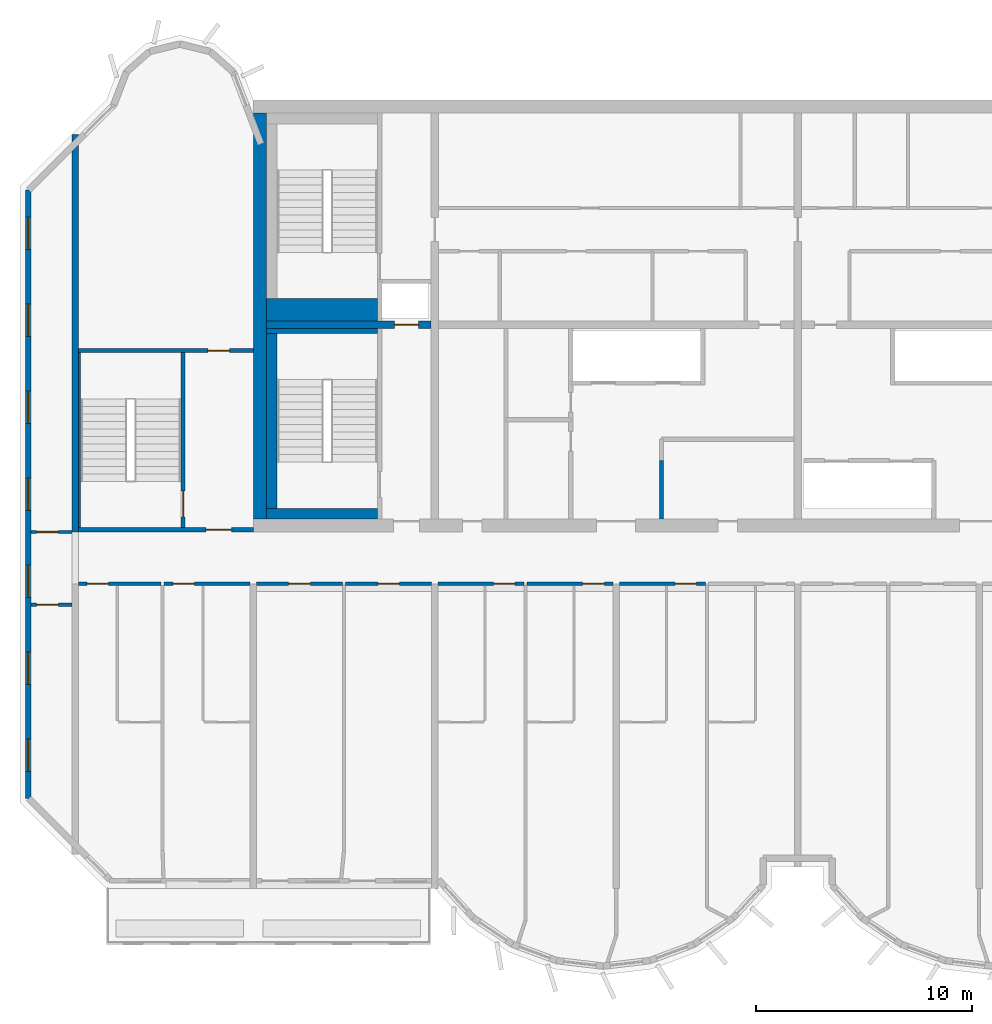
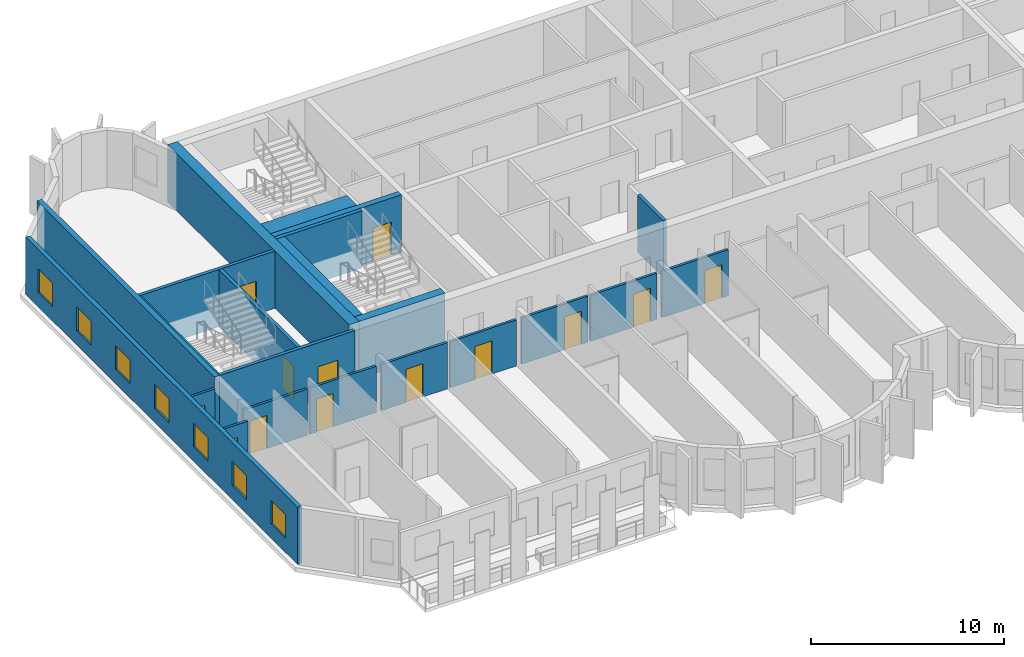
# One storey, part 3 of 12: 22 walls, 13 doors, 7 windows, 20 openings.
"""IFC4 building model written with IfcOpenShell, lengths in metres."""

from ifc_helpers import new_model, si_unit, direction, frame, frame_2d, origin, place, context, subcontext, project, spatial, rectangle, extrude, source, transform, mapped, material, layer, layer_set, type_object, element, fill, save


model = new_model("IFC4")

# Units and contexts
model_context = context("Model", 3, precision=1e-05, world=origin(), true_north=direction((0.0, 1.0)))
body_context = subcontext(model_context, "Body", "Model", "MODEL_VIEW")
ifc_project = project(units=[si_unit("LENGTHUNIT", "METRE"), si_unit("AREAUNIT", "SQUARE_METRE"), si_unit("VOLUMEUNIT", "CUBIC_METRE"), si_unit("PLANEANGLEUNIT", "RADIAN"), si_unit("MASSUNIT", "GRAM", prefix="KILO")], contexts=[model_context])

# Site, building, storey
site_placement = place(None, origin())
site = spatial("IfcSite", under=ifc_project, at=site_placement, CompositionType="ELEMENT")
building_placement = place(site_placement, origin())
building = spatial("IfcBuilding", under=site, at=building_placement, Name="Vanashikhar Sky Hotel", CompositionType="ELEMENT")
storey_placement = place(building_placement, frame((0.0, 0.0, 237.39990234375)))
storey = spatial("IfcBuildingStorey", under=building, at=storey_placement, Name="L57", CompositionType="ELEMENT", Elevation=237.39990234375)

# Wall
ifc_material_1 = material(Name="Concrete M60", Category="concrete")
ifc_layer_1 = layer(ifc_material_1, 0.60009765625)
ifc_layer_set_1 = layer_set([ifc_layer_1], Name="RC core shell wall 600 Concrete M60")
wall_type_1 = type_object("IfcWallType", Name="RC core shell wall 600 Concrete M60", PredefinedType="SHEAR", material=ifc_layer_set_1)
shared_shape_1 = source(origin(), body_context, "Body", "SweptSolid", [
    extrude(rectangle(XDim=18.7998046875, YDim=0.60009765625, at=frame_2d((9.39990234375, 0.0))), origin(), (0.0, 0.0, 1.0), 3.6201171875),
])
wall_1_placement = place(storey_placement, frame((25.5, 22.60009765625, 0.0), z_axis=(0.0, 0.0, 1.0), x_axis=(0.0, 1.0, 0.0)))
element("IfcWall", 1, at=wall_1_placement, inside=storey, type_object=wall_type_1, Name="KW-L57-KW", PredefinedType="SHEAR", context=body_context, shape_type="MappedRepresentation", body=[
    mapped(shared_shape_1, transform((0.0, 0.0, 0.0), scale=1.0)),
])

# Wall, opening, door
ifc_layer_2 = layer(ifc_material_1, 0.35009765625)
ifc_layer_set_2 = layer_set([ifc_layer_2], Name="RC core inner wall 350 Concrete M60")
wall_type_2 = type_object("IfcWallType", Name="RC core inner wall 350 Concrete M60", PredefinedType="SHEAR", material=ifc_layer_set_2)
shared_shape_2 = source(origin(), body_context, "Body", "SweptSolid", [
    extrude(rectangle(XDim=7.625, YDim=0.35009765625, at=frame_2d((3.8125, 0.0))), origin(), (0.0, 0.0, 1.0), 3.6201171875),
])
wall_2_placement = place(storey_placement, frame((25.800048828125, 31.60009765625, 0.0), z_axis=(0.0, 0.0, 1.0), x_axis=(1.0, 0.0, 0.0)))
wall_2 = element("IfcWall", 2, at=wall_2_placement, inside=storey, type_object=wall_type_2, Name="KW-L57-KY1", PredefinedType="SHEAR", context=body_context, shape_type="MappedRepresentation", body=[
    mapped(shared_shape_2, transform((0.0, 0.0, 0.0), scale=1.0)),
])
shared_shape_3 = source(origin(), body_context, "Body", "SweptSolid", [
    extrude(rectangle(XDim=1.10009765625, YDim=2.10009765625, at=frame_2d((0.550048828125, 1.050048828125))), frame((0.0, 0.18505859375, 0.0), z_axis=(0.0, -1.0, 0.0), x_axis=(1.0, 0.0, 0.0)), (0.0, 0.0, 1.0), 0.3701171875),
])
opening_1_placement = place(wall_2_placement, frame((5.93798828125, 0.0, 0.0)))
opening_1 = element("IfcOpeningElement", 3, at=opening_1_placement, cuts=wall_2, Name="Opening LD", PredefinedType="OPENING", context=body_context, shape_type="MappedRepresentation", body=[
    mapped(shared_shape_3, transform((0.0, 0.0, 0.0), scale=1.0)),
])
ifc_material_2 = material(Name="Stainless steel", Category="steel")
door_type_1 = type_object("IfcDoorType", Name="Lift landing door 1100", OperationType="NOTDEFINED", PredefinedType="DOOR", material=ifc_material_2)
shared_shape_4 = source(origin(), body_context, "Body", "SweptSolid", [
    extrude(rectangle(XDim=1.10009765625, YDim=2.10009765625, at=frame_2d((0.550048828125, 1.050048828125))), frame((0.0, 0.02490234375, 0.0), z_axis=(0.0, -1.0, 0.0), x_axis=(1.0, 0.0, 0.0)), (0.0, 0.0, 1.0), 0.050048828125),
])
door_1_placement = place(opening_1_placement, origin())
door_1 = element("IfcDoor", 4, at=door_1_placement, inside=storey, type_object=door_type_1, Name="Lift landing door 1100", OperationType="SLIDING_TO_RIGHT", OverallHeight=2.10009765625, OverallWidth=1.10009765625, PredefinedType="DOOR", context=body_context, shape_type="MappedRepresentation", body=[
    mapped(shared_shape_4, transform((0.0, 0.0, 0.0), scale=1.0)),
])
fill(opening_1, door_1)

# Wall
ifc_layer_3 = layer(ifc_material_1, 0.300048828125)
ifc_layer_set_3 = layer_set([ifc_layer_3], Name="RC shear wall 300 Concrete M60")
wall_type_3 = type_object("IfcWallType", Name="RC shear wall 300 Concrete M60", PredefinedType="SHEAR", material=ifc_layer_set_3)
shared_shape_5 = source(origin(), body_context, "Body", "SweptSolid", [
    extrude(rectangle(XDim=18.39990234375, YDim=0.300048828125, at=frame_2d((9.199951171875, 0.0))), origin(), (0.0, 0.0, 1.0), 3.6201171875),
])
wall_3_placement = place(storey_placement, frame((16.949951171875, 22.0, 0.0), z_axis=(0.0, 0.0, 1.0), x_axis=(0.0, 1.0, 0.0)))
element("IfcWall", 5, at=wall_3_placement, inside=storey, type_object=wall_type_3, Name="CW-L57-XW03-2", PredefinedType="SHEAR", context=body_context, shape_type="MappedRepresentation", body=[
    mapped(shared_shape_5, transform((0.0, 0.0, 0.0), scale=1.0)),
])

# Wall, openings, windows
ifc_material_3 = material(Name="Concrete M50", Category="concrete")
ifc_layer_4 = layer(ifc_material_3, 0.25)
ifc_layer_set_4 = layer_set([ifc_layer_4], Name="Rear and end board-marked wall 250")
wall_type_4 = type_object("IfcWallType", Name="Rear and end board-marked wall 250", PredefinedType="SOLIDWALL", material=ifc_layer_set_4)
shared_shape_6 = source(origin(), body_context, "Body", "SweptSolid", [
    extrude(rectangle(XDim=28.189453125, YDim=0.25, at=frame_2d((14.0947265625, 0.0))), origin(), (0.0, 0.0, 1.0), 3.6201171875),
])
wall_4_placement = place(storey_placement, frame((14.77490234375, 37.8447265625, 0.0), z_axis=(0.0, 0.0, 1.0), x_axis=(0.0, -1.0, 0.0)))
wall_4 = element("IfcWall", 6, at=wall_4_placement, inside=storey, type_object=wall_type_4, Name="End board-marked wall", PredefinedType="SOLIDWALL", context=body_context, shape_type="MappedRepresentation", body=[
    mapped(shared_shape_6, transform((0.0, 0.0, 0.0), scale=1.0)),
])
shared_shape_7 = source(origin(), body_context, "Body", "SweptSolid", [
    extrude(rectangle(XDim=1.5, YDim=1.5, at=frame_2d((0.75, 0.75))), frame((0.0, 0.135009765625, 0.0), z_axis=(0.0, -1.0, 0.0), x_axis=(1.0, 0.0, 0.0)), (0.0, 0.0, 1.0), 0.27001953125),
])
opening_2_placement = place(wall_4_placement, frame((1.263427734375, 0.0, 0.89990234375)))
opening_2 = element("IfcOpeningElement", 7, at=opening_2_placement, cuts=wall_4, Name="Opening WN-1", PredefinedType="OPENING", context=body_context, shape_type="MappedRepresentation", body=[
    mapped(shared_shape_7, transform((0.0, 0.0, 0.0), scale=1.0)),
])
opening_3_placement = place(wall_4_placement, frame((5.29052734375, 0.0, 0.89990234375)))
opening_3 = element("IfcOpeningElement", 8, at=opening_3_placement, cuts=wall_4, Name="Opening WN-1", PredefinedType="OPENING", context=body_context, shape_type="MappedRepresentation", body=[
    mapped(shared_shape_7, transform((0.0, 0.0, 0.0), scale=1.0)),
])
opening_4_placement = place(wall_4_placement, frame((9.317626953125, 0.0, 0.89990234375)))
opening_4 = element("IfcOpeningElement", 9, at=opening_4_placement, cuts=wall_4, Name="Opening WN-1", PredefinedType="OPENING", context=body_context, shape_type="MappedRepresentation", body=[
    mapped(shared_shape_7, transform((0.0, 0.0, 0.0), scale=1.0)),
])
opening_5_placement = place(wall_4_placement, frame((13.3447265625, 0.0, 0.89990234375)))
opening_5 = element("IfcOpeningElement", 10, at=opening_5_placement, cuts=wall_4, Name="Opening WN-1", PredefinedType="OPENING", context=body_context, shape_type="MappedRepresentation", body=[
    mapped(shared_shape_7, transform((0.0, 0.0, 0.0), scale=1.0)),
])
opening_6_placement = place(wall_4_placement, frame((17.371826171875, 0.0, 0.89990234375)))
opening_6 = element("IfcOpeningElement", 11, at=opening_6_placement, cuts=wall_4, Name="Opening WN-1", PredefinedType="OPENING", context=body_context, shape_type="MappedRepresentation", body=[
    mapped(shared_shape_7, transform((0.0, 0.0, 0.0), scale=1.0)),
])
opening_7_placement = place(wall_4_placement, frame((21.398681640625, 0.0, 0.89990234375)))
opening_7 = element("IfcOpeningElement", 12, at=opening_7_placement, cuts=wall_4, Name="Opening WN-1", PredefinedType="OPENING", context=body_context, shape_type="MappedRepresentation", body=[
    mapped(shared_shape_7, transform((0.0, 0.0, 0.0), scale=1.0)),
])
opening_8_placement = place(wall_4_placement, frame((25.42578125, 0.0, 0.89990234375)))
opening_8 = element("IfcOpeningElement", 13, at=opening_8_placement, cuts=wall_4, Name="Opening WN-1", PredefinedType="OPENING", context=body_context, shape_type="MappedRepresentation", body=[
    mapped(shared_shape_7, transform((0.0, 0.0, 0.0), scale=1.0)),
])
ifc_material_4 = material(Name="Glass", Category="glass")
window_type = type_object("IfcWindowType", Name="Window 1500 x 1500", PartitioningType="SINGLE_PANEL", PredefinedType="WINDOW", material=ifc_material_4)
shared_shape_8 = source(origin(), body_context, "Body", "SweptSolid", [
    extrude(rectangle(XDim=1.5, YDim=1.5, at=frame_2d((0.75, 0.75))), frame((0.0, 0.030029296875, 0.0), z_axis=(0.0, -1.0, 0.0), x_axis=(1.0, 0.0, 0.0)), (0.0, 0.0, 1.0), 0.06005859375),
])
window_1_placement = place(opening_2_placement, origin())
window_1 = element("IfcWindow", 14, at=window_1_placement, inside=storey, type_object=window_type, Name="Window WN-1", OverallHeight=1.5, OverallWidth=1.5, PartitioningType="SINGLE_PANEL", PredefinedType="WINDOW", context=body_context, shape_type="MappedRepresentation", body=[
    mapped(shared_shape_8, transform((0.0, 0.0, 0.0), scale=1.0)),
])
fill(opening_2, window_1)
window_2_placement = place(opening_3_placement, origin())
window_2 = element("IfcWindow", 15, at=window_2_placement, inside=storey, type_object=window_type, Name="Window WN-1", OverallHeight=1.5, OverallWidth=1.5, PartitioningType="SINGLE_PANEL", PredefinedType="WINDOW", context=body_context, shape_type="MappedRepresentation", body=[
    mapped(shared_shape_8, transform((0.0, 0.0, 0.0), scale=1.0)),
])
fill(opening_3, window_2)
window_3_placement = place(opening_4_placement, origin())
window_3 = element("IfcWindow", 16, at=window_3_placement, inside=storey, type_object=window_type, Name="Window WN-1", OverallHeight=1.5, OverallWidth=1.5, PartitioningType="SINGLE_PANEL", PredefinedType="WINDOW", context=body_context, shape_type="MappedRepresentation", body=[
    mapped(shared_shape_8, transform((0.0, 0.0, 0.0), scale=1.0)),
])
fill(opening_4, window_3)
window_4_placement = place(opening_5_placement, origin())
window_4 = element("IfcWindow", 17, at=window_4_placement, inside=storey, type_object=window_type, Name="Window WN-1", OverallHeight=1.5, OverallWidth=1.5, PartitioningType="SINGLE_PANEL", PredefinedType="WINDOW", context=body_context, shape_type="MappedRepresentation", body=[
    mapped(shared_shape_8, transform((0.0, 0.0, 0.0), scale=1.0)),
])
fill(opening_5, window_4)
window_5_placement = place(opening_6_placement, origin())
window_5 = element("IfcWindow", 18, at=window_5_placement, inside=storey, type_object=window_type, Name="Window WN-1", OverallHeight=1.5, OverallWidth=1.5, PartitioningType="SINGLE_PANEL", PredefinedType="WINDOW", context=body_context, shape_type="MappedRepresentation", body=[
    mapped(shared_shape_8, transform((0.0, 0.0, 0.0), scale=1.0)),
])
fill(opening_6, window_5)
window_6_placement = place(opening_7_placement, origin())
window_6 = element("IfcWindow", 19, at=window_6_placement, inside=storey, type_object=window_type, Name="Window WN-1", OverallHeight=1.5, OverallWidth=1.5, PartitioningType="SINGLE_PANEL", PredefinedType="WINDOW", context=body_context, shape_type="MappedRepresentation", body=[
    mapped(shared_shape_8, transform((0.0, 0.0, 0.0), scale=1.0)),
])
fill(opening_7, window_6)
window_7_placement = place(opening_8_placement, origin())
window_7 = element("IfcWindow", 20, at=window_7_placement, inside=storey, type_object=window_type, Name="Window WN-1", OverallHeight=1.5, OverallWidth=1.5, PartitioningType="SINGLE_PANEL", PredefinedType="WINDOW", context=body_context, shape_type="MappedRepresentation", body=[
    mapped(shared_shape_8, transform((0.0, 0.0, 0.0), scale=1.0)),
])
fill(opening_8, window_7)

# Wall
ifc_material_5 = material(Name="Gypsum board partition")
ifc_layer_5 = layer(ifc_material_5, 0.14990234375)
ifc_layer_set_5 = layer_set([ifc_layer_5], Name="Service partition 150")
wall_type_5 = type_object("IfcWallType", Name="Service partition 150", PredefinedType="PARTITIONING", material=ifc_layer_set_5)
shared_shape_9 = source(origin(), body_context, "Body", "SweptSolid", [
    extrude(rectangle(XDim=2.699951171875, YDim=0.199951171875, at=frame_2d((1.35009765625, 0.0))), origin(), (0.0, 0.0, 1.0), 3.6201171875),
])
wall_5_placement = place(storey_placement, frame((44.10009765625, 22.60009765625, 0.0), z_axis=(0.0, 0.0, 1.0), x_axis=(0.0, 1.0, 0.0)))
element("IfcWall", 21, at=wall_5_placement, inside=storey, type_object=wall_type_5, Name="Service partition 150", PredefinedType="PARTITIONING", context=body_context, shape_type="MappedRepresentation", body=[
    mapped(shared_shape_9, transform((0.0, 0.0, 0.0), scale=1.0)),
])

# Wall, opening, door
ifc_layer_6 = layer(ifc_material_3, 0.199951171875)
ifc_layer_set_6 = layer_set([ifc_layer_6], Name="Stair wall 200")
wall_type_6 = type_object("IfcWallType", Name="Stair wall 200", PredefinedType="SOLIDWALL", material=ifc_layer_set_6)
shared_shape_10 = source(origin(), body_context, "Body", "SweptSolid", [
    extrude(rectangle(XDim=8.2998046875, YDim=0.199951171875, at=frame_2d((4.14990234375, 0.0))), origin(), (0.0, 0.0, 1.0), 3.6201171875),
])
wall_6_placement = place(storey_placement, frame((21.949951171875, 22.10009765625, 0.0), z_axis=(0.0, 0.0, 1.0), x_axis=(0.0, 1.0, 0.0)))
wall_6 = element("IfcWall", 22, at=wall_6_placement, inside=storey, type_object=wall_type_6, Name="Stair wall 200", PredefinedType="SOLIDWALL", context=body_context, shape_type="MappedRepresentation", body=[
    mapped(shared_shape_10, transform((0.0, 0.0, 0.0), scale=1.0)),
])
shared_shape_11 = source(origin(), body_context, "Body", "SweptSolid", [
    extrude(rectangle(XDim=1.199951171875, YDim=2.10009765625, at=frame_2d((0.60009765625, 1.050048828125))), frame((0.0, 0.10986328125, 0.0), z_axis=(0.0, -1.0, 0.0), x_axis=(1.0, 0.0, 0.0)), (0.0, 0.0, 1.0), 0.219970703125),
])
opening_9_placement = place(wall_6_placement, frame((0.60009765625, 0.0, 0.0)))
opening_9 = element("IfcOpeningElement", 23, at=opening_9_placement, cuts=wall_6, Name="Opening DC-1", PredefinedType="OPENING", context=body_context, shape_type="MappedRepresentation", body=[
    mapped(shared_shape_11, transform((0.0, 0.0, 0.0), scale=1.0)),
])
ifc_material_6 = material(Name="Steel", Category="steel")
door_type_2 = type_object("IfcDoorType", Name="Stair door 1200 FD120", OperationType="NOTDEFINED", PredefinedType="DOOR", material=ifc_material_6)
shared_shape_12 = source(origin(), body_context, "Body", "SweptSolid", [
    extrude(rectangle(XDim=1.199951171875, YDim=2.10009765625, at=frame_2d((0.60009765625, 1.050048828125))), frame((0.0, 0.02490234375, 0.0), z_axis=(0.0, -1.0, 0.0), x_axis=(1.0, 0.0, 0.0)), (0.0, 0.0, 1.0), 0.050048828125),
])
door_2_placement = place(opening_9_placement, origin())
door_2 = element("IfcDoor", 24, at=door_2_placement, inside=storey, type_object=door_type_2, Name="Stair door 1200 FD120", OperationType="SINGLE_SWING_LEFT", OverallHeight=2.10009765625, OverallWidth=1.199951171875, PredefinedType="DOOR", context=body_context, shape_type="MappedRepresentation", body=[
    mapped(shared_shape_12, transform((0.0, 0.0, 0.0), scale=1.0)),
])
fill(opening_9, door_2)

shared_shape_13 = source(origin(), body_context, "Body", "SweptSolid", [
    extrude(rectangle(XDim=8.099853515625, YDim=0.199951171875, at=frame_2d((4.0498046875, 0.0))), origin(), (0.0, 0.0, 1.0), 3.6201171875),
])
wall_7_placement = place(storey_placement, frame((17.10009765625, 22.10009765625, 0.0), z_axis=(0.0, 0.0, 1.0), x_axis=(1.0, 0.0, 0.0)))
wall_7 = element("IfcWall", 25, at=wall_7_placement, inside=storey, type_object=wall_type_6, Name="Stair wall 200", PredefinedType="SOLIDWALL", context=body_context, shape_type="MappedRepresentation", body=[
    mapped(shared_shape_13, transform((0.0, 0.0, 0.0), scale=1.0)),
])
opening_10_placement = place(wall_7_placement, frame((5.89990234375, 0.0, 0.0)))
opening_10 = element("IfcOpeningElement", 26, at=opening_10_placement, cuts=wall_7, Name="Opening DC-2", PredefinedType="OPENING", context=body_context, shape_type="MappedRepresentation", body=[
    mapped(shared_shape_11, transform((0.0, 0.0, 0.0), scale=1.0)),
])
door_type_3 = type_object("IfcDoorType", Name="Firefighting lobby door 1200 FD120", OperationType="NOTDEFINED", PredefinedType="DOOR", material=ifc_material_6)
door_3_placement = place(opening_10_placement, origin())
door_3 = element("IfcDoor", 27, at=door_3_placement, inside=storey, type_object=door_type_3, Name="Firefighting lobby door 1200 FD120", OperationType="SINGLE_SWING_RIGHT", OverallHeight=2.10009765625, OverallWidth=1.199951171875, PredefinedType="DOOR", context=body_context, shape_type="MappedRepresentation", body=[
    mapped(shared_shape_12, transform((0.0, 0.0, 0.0), scale=1.0)),
])
fill(opening_10, door_3)

wall_8_placement = place(storey_placement, frame((17.10009765625, 30.39990234375, 0.0), z_axis=(0.0, 0.0, 1.0), x_axis=(1.0, 0.0, 0.0)))
wall_8 = element("IfcWall", 28, at=wall_8_placement, inside=storey, type_object=wall_type_6, Name="Stair wall 200", PredefinedType="SOLIDWALL", context=body_context, shape_type="MappedRepresentation", body=[
    mapped(shared_shape_13, transform((0.0, 0.0, 0.0), scale=1.0)),
])
shared_shape_14 = source(origin(), body_context, "Body", "SweptSolid", [
    extrude(rectangle(XDim=1.0, YDim=2.10009765625, at=frame_2d((0.5, 1.050048828125))), frame((0.0, 0.10986328125, 0.0), z_axis=(0.0, -1.0, 0.0), x_axis=(1.0, 0.0, 0.0)), (0.0, 0.0, 1.0), 0.219970703125),
])
opening_11_placement = place(wall_8_placement, frame((6.0, 0.0, 0.0)))
opening_11 = element("IfcOpeningElement", 29, at=opening_11_placement, cuts=wall_8, Name="Opening DC-6", PredefinedType="OPENING", context=body_context, shape_type="MappedRepresentation", body=[
    mapped(shared_shape_14, transform((0.0, 0.0, 0.0), scale=1.0)),
])
door_type_4 = type_object("IfcDoorType", Name="Pocket door 1000 FD60", OperationType="NOTDEFINED", PredefinedType="DOOR", material=ifc_material_6)
shared_shape_15 = source(origin(), body_context, "Body", "SweptSolid", [
    extrude(rectangle(XDim=1.0, YDim=2.10009765625, at=frame_2d((0.5, 1.050048828125))), frame((0.0, 0.02490234375, 0.0), z_axis=(0.0, -1.0, 0.0), x_axis=(1.0, 0.0, 0.0)), (0.0, 0.0, 1.0), 0.050048828125),
])
door_4_placement = place(opening_11_placement, origin())
door_4 = element("IfcDoor", 30, at=door_4_placement, inside=storey, type_object=door_type_4, Name="Pocket door 1000 FD60", OperationType="SINGLE_SWING_RIGHT", OverallHeight=2.10009765625, OverallWidth=1.0, PredefinedType="DOOR", context=body_context, shape_type="MappedRepresentation", body=[
    mapped(shared_shape_15, transform((0.0, 0.0, 0.0), scale=1.0)),
])
fill(opening_11, door_4)

# Walls
ifc_layer_7 = layer(ifc_material_3, 0.5)
ifc_layer_set_7 = layer_set([ifc_layer_7], Name="Stair infill wall 500")
wall_type_7 = type_object("IfcWallType", Name="Stair infill wall 500", PredefinedType="SOLIDWALL", material=ifc_layer_set_7)
shared_shape_16 = source(origin(), body_context, "Body", "SweptSolid", [
    extrude(rectangle(XDim=5.14990234375, YDim=0.5, at=frame_2d((2.574951171875, 0.0))), origin(), (0.0, 0.0, 1.0), 3.6201171875),
])
wall_9_placement = place(storey_placement, frame((25.800048828125, 22.85009765625, 0.0), z_axis=(0.0, 0.0, 1.0), x_axis=(1.0, 0.0, 0.0)))
element("IfcWall", 31, at=wall_9_placement, inside=storey, type_object=wall_type_7, Name="Stair infill wall 500", PredefinedType="SOLIDWALL", context=body_context, shape_type="MappedRepresentation", body=[
    mapped(shared_shape_16, transform((0.0, 0.0, 0.0), scale=1.0)),
])
ifc_layer_8 = layer(ifc_material_3, 0.22509765625)
ifc_layer_set_8 = layer_set([ifc_layer_8], Name="Stair infill wall 225")
wall_type_8 = type_object("IfcWallType", Name="Stair infill wall 225", PredefinedType="SOLIDWALL", material=ifc_layer_set_8)
shared_shape_17 = source(origin(), body_context, "Body", "SweptSolid", [
    extrude(rectangle(XDim=5.14990234375, YDim=0.22509765625, at=frame_2d((2.574951171875, 0.0))), origin(), (0.0, 0.0, 1.0), 3.6201171875),
])
wall_10_placement = place(storey_placement, frame((25.800048828125, 31.31201171875, 0.0), z_axis=(0.0, 0.0, 1.0), x_axis=(1.0, 0.0, 0.0)))
element("IfcWall", 32, at=wall_10_placement, inside=storey, type_object=wall_type_8, Name="Stair infill wall 225", PredefinedType="SOLIDWALL", context=body_context, shape_type="MappedRepresentation", body=[
    mapped(shared_shape_17, transform((0.0, 0.0, 0.0), scale=1.0)),
])
shared_shape_18 = source(origin(), body_context, "Body", "SweptSolid", [
    extrude(rectangle(XDim=8.099853515625, YDim=0.5, at=frame_2d((4.0498046875, 0.0))), origin(), (0.0, 0.0, 1.0), 3.6201171875),
])
wall_11_placement = place(storey_placement, frame((26.050048828125, 23.10009765625, 0.0), z_axis=(0.0, 0.0, 1.0), x_axis=(0.0, 1.0, 0.0)))
element("IfcWall", 33, at=wall_11_placement, inside=storey, type_object=wall_type_7, Name="Stair infill wall 500", PredefinedType="SOLIDWALL", context=body_context, shape_type="MappedRepresentation", body=[
    mapped(shared_shape_18, transform((0.0, 0.0, 0.0), scale=1.0)),
])
ifc_layer_9 = layer(ifc_material_3, 0.10009765625)
ifc_layer_set_9 = layer_set([ifc_layer_9], Name="Stair infill wall 100")
wall_type_9 = type_object("IfcWallType", Name="Stair infill wall 100", PredefinedType="SOLIDWALL", material=ifc_layer_set_9)
shared_shape_19 = source(origin(), body_context, "Body", "SweptSolid", [
    extrude(rectangle(XDim=8.10009765625, YDim=0.10009765625, at=frame_2d((4.050048828125, 0.0))), origin(), (0.0, 0.0, 1.0), 3.6201171875),
])
wall_12_placement = place(storey_placement, frame((17.14990234375, 22.199951171875, 0.0), z_axis=(0.0, 0.0, 1.0), x_axis=(0.0, 1.0, 0.0)))
element("IfcWall", 34, at=wall_12_placement, inside=storey, type_object=wall_type_9, Name="Stair infill wall 100", PredefinedType="SOLIDWALL", context=body_context, shape_type="MappedRepresentation", body=[
    mapped(shared_shape_19, transform((0.0, 0.0, 0.0), scale=1.0)),
])
ifc_layer_10 = layer(ifc_material_3, 1.02490234375)
ifc_layer_set_10 = layer_set([ifc_layer_10], Name="Stair infill wall 1025")
wall_type_10 = type_object("IfcWallType", Name="Stair infill wall 1025", PredefinedType="SOLIDWALL", material=ifc_layer_set_10)
shared_shape_20 = source(origin(), body_context, "Body", "SweptSolid", [
    extrude(rectangle(XDim=5.14990234375, YDim=1.02490234375, at=frame_2d((2.574951171875, 0.0))), origin(), (0.0, 0.0, 1.0), 3.6201171875),
])
wall_13_placement = place(storey_placement, frame((25.800048828125, 32.287109375, 0.0), z_axis=(0.0, 0.0, 1.0), x_axis=(1.0, 0.0, 0.0)))
element("IfcWall", 35, at=wall_13_placement, inside=storey, type_object=wall_type_10, Name="Stair infill wall 1025", PredefinedType="SOLIDWALL", context=body_context, shape_type="MappedRepresentation", body=[
    mapped(shared_shape_20, transform((0.0, 0.0, 0.0), scale=1.0)),
])

# Wall, opening, door
ifc_material_7 = material(Name="Gypsum plasterboard partition")
ifc_layer_11 = layer(ifc_material_7, 0.14990234375)
ifc_layer_set_11 = layer_set([ifc_layer_11], Name="Corridor and demising partition 150")
wall_type_11 = type_object("IfcWallType", Name="Corridor and demising partition 150", PredefinedType="PARTITIONING", material=ifc_layer_set_11)
shared_shape_21 = source(origin(), body_context, "Body", "SweptSolid", [
    extrude(rectangle(XDim=3.824951171875, YDim=0.14990234375, at=frame_2d((1.91259765625, 0.0))), origin(), (0.0, 0.0, 1.0), 2.920166015625),
])
wall_14_placement = place(storey_placement, frame((17.10009765625, 19.60009765625, 0.0), z_axis=(0.0, 0.0, 1.0), x_axis=(1.0, 0.0, 0.0)))
wall_14 = element("IfcWall", 36, at=wall_14_placement, inside=storey, type_object=wall_type_11, Name="W-L57-PW003", PredefinedType="PARTITIONING", context=body_context, shape_type="MappedRepresentation", body=[
    mapped(shared_shape_21, transform((0.0, 0.0, 0.0), scale=1.0)),
])
shared_shape_22 = source(origin(), body_context, "Body", "SweptSolid", [
    extrude(rectangle(XDim=1.0, YDim=2.10009765625, at=frame_2d((0.5, 1.050048828125))), frame((0.0, 0.0849609375, 0.0), z_axis=(0.0, -1.0, 0.0), x_axis=(1.0, 0.0, 0.0)), (0.0, 0.0, 1.0), 0.169921875),
])
opening_12_placement = place(wall_14_placement, frame((0.39990234375, 0.0, 0.0)))
opening_12 = element("IfcOpeningElement", 37, at=opening_12_placement, cuts=wall_14, Name="Opening D-01", PredefinedType="OPENING", context=body_context, shape_type="MappedRepresentation", body=[
    mapped(shared_shape_22, transform((0.0, 0.0, 0.0), scale=1.0)),
])
ifc_material_8 = material(Name="Timber fire door", Category="wood")
door_type_5 = type_object("IfcDoorType", Name="Guest entry door 1000 FD30S", OperationType="NOTDEFINED", PredefinedType="DOOR", material=ifc_material_8)
door_5_placement = place(opening_12_placement, origin())
door_5 = element("IfcDoor", 38, at=door_5_placement, inside=storey, type_object=door_type_5, Name="D-L57-002", OperationType="SINGLE_SWING_LEFT", OverallHeight=2.10009765625, OverallWidth=1.0, PredefinedType="DOOR", context=body_context, shape_type="MappedRepresentation", body=[
    mapped(shared_shape_15, transform((0.0, 0.0, 0.0), scale=1.0)),
])
fill(opening_12, door_5)

shared_shape_23 = source(origin(), body_context, "Body", "SweptSolid", [
    extrude(rectangle(XDim=3.97509765625, YDim=0.14990234375, at=frame_2d((1.987548828125, 0.0))), origin(), (0.0, 0.0, 1.0), 2.920166015625),
])
wall_15_placement = place(storey_placement, frame((21.074951171875, 19.60009765625, 0.0), z_axis=(0.0, 0.0, 1.0), x_axis=(1.0, 0.0, 0.0)))
wall_15 = element("IfcWall", 39, at=wall_15_placement, inside=storey, type_object=wall_type_11, Name="W-L57-PW006", PredefinedType="PARTITIONING", context=body_context, shape_type="MappedRepresentation", body=[
    mapped(shared_shape_23, transform((0.0, 0.0, 0.0), scale=1.0)),
])
opening_13_placement = place(wall_15_placement, frame((0.39990234375, 0.0, 0.0)))
opening_13 = element("IfcOpeningElement", 40, at=opening_13_placement, cuts=wall_15, Name="Opening D-01", PredefinedType="OPENING", context=body_context, shape_type="MappedRepresentation", body=[
    mapped(shared_shape_22, transform((0.0, 0.0, 0.0), scale=1.0)),
])
door_6_placement = place(opening_13_placement, origin())
door_6 = element("IfcDoor", 41, at=door_6_placement, inside=storey, type_object=door_type_5, Name="D-L57-004", OperationType="SINGLE_SWING_LEFT", OverallHeight=2.10009765625, OverallWidth=1.0, PredefinedType="DOOR", context=body_context, shape_type="MappedRepresentation", body=[
    mapped(shared_shape_15, transform((0.0, 0.0, 0.0), scale=1.0)),
])
fill(opening_13, door_6)

wall_16_placement = place(storey_placement, frame((33.75, 19.60009765625, 0.0), z_axis=(0.0, 0.0, 1.0), x_axis=(1.0, 0.0, 0.0)))
wall_16 = element("IfcWall", 42, at=wall_16_placement, inside=storey, type_object=wall_type_11, Name="W-L57-PW013", PredefinedType="PARTITIONING", context=body_context, shape_type="MappedRepresentation", body=[
    mapped(shared_shape_23, transform((0.0, 0.0, 0.0), scale=1.0)),
])
opening_14_placement = place(wall_16_placement, frame((2.574951171875, 0.0, 0.0)))
opening_14 = element("IfcOpeningElement", 43, at=opening_14_placement, cuts=wall_16, Name="Opening D-01", PredefinedType="OPENING", context=body_context, shape_type="MappedRepresentation", body=[
    mapped(shared_shape_22, transform((0.0, 0.0, 0.0), scale=1.0)),
])
door_7_placement = place(opening_14_placement, origin())
door_7 = element("IfcDoor", 44, at=door_7_placement, inside=storey, type_object=door_type_5, Name="D-L57-008", OperationType="SINGLE_SWING_RIGHT", OverallHeight=2.10009765625, OverallWidth=1.0, PredefinedType="DOOR", context=body_context, shape_type="MappedRepresentation", body=[
    mapped(shared_shape_15, transform((0.0, 0.0, 0.0), scale=1.0)),
])
fill(opening_14, door_7)

wall_17_placement = place(storey_placement, frame((37.875, 19.60009765625, 0.0), z_axis=(0.0, 0.0, 1.0), x_axis=(1.0, 0.0, 0.0)))
wall_17 = element("IfcWall", 45, at=wall_17_placement, inside=storey, type_object=wall_type_11, Name="W-L57-PW016", PredefinedType="PARTITIONING", context=body_context, shape_type="MappedRepresentation", body=[
    mapped(shared_shape_23, transform((0.0, 0.0, 0.0), scale=1.0)),
])
opening_15_placement = place(wall_17_placement, frame((2.574951171875, 0.0, 0.0)))
opening_15 = element("IfcOpeningElement", 46, at=opening_15_placement, cuts=wall_17, Name="Opening D-01", PredefinedType="OPENING", context=body_context, shape_type="MappedRepresentation", body=[
    mapped(shared_shape_22, transform((0.0, 0.0, 0.0), scale=1.0)),
])
door_8_placement = place(opening_15_placement, origin())
door_8 = element("IfcDoor", 47, at=door_8_placement, inside=storey, type_object=door_type_5, Name="D-L57-010", OperationType="SINGLE_SWING_RIGHT", OverallHeight=2.10009765625, OverallWidth=1.0, PredefinedType="DOOR", context=body_context, shape_type="MappedRepresentation", body=[
    mapped(shared_shape_15, transform((0.0, 0.0, 0.0), scale=1.0)),
])
fill(opening_15, door_8)

wall_18_placement = place(storey_placement, frame((42.14990234375, 19.60009765625, 0.0), z_axis=(0.0, 0.0, 1.0), x_axis=(1.0, 0.0, 0.0)))
wall_18 = element("IfcWall", 48, at=wall_18_placement, inside=storey, type_object=wall_type_11, Name="W-L57-PW020", PredefinedType="PARTITIONING", context=body_context, shape_type="MappedRepresentation", body=[
    mapped(shared_shape_23, transform((0.0, 0.0, 0.0), scale=1.0)),
])
opening_16_placement = place(wall_18_placement, frame((2.574951171875, 0.0, 0.0)))
opening_16 = element("IfcOpeningElement", 49, at=opening_16_placement, cuts=wall_18, Name="Opening D-01", PredefinedType="OPENING", context=body_context, shape_type="MappedRepresentation", body=[
    mapped(shared_shape_22, transform((0.0, 0.0, 0.0), scale=1.0)),
])
door_9_placement = place(opening_16_placement, origin())
door_9 = element("IfcDoor", 50, at=door_9_placement, inside=storey, type_object=door_type_5, Name="D-L57-012", OperationType="SINGLE_SWING_RIGHT", OverallHeight=2.10009765625, OverallWidth=1.0, PredefinedType="DOOR", context=body_context, shape_type="MappedRepresentation", body=[
    mapped(shared_shape_15, transform((0.0, 0.0, 0.0), scale=1.0)),
])
fill(opening_16, door_9)

shared_shape_24 = source(origin(), body_context, "Body", "SweptSolid", [
    extrude(rectangle(XDim=3.974853515625, YDim=0.14990234375, at=frame_2d((1.9873046875, 0.0))), origin(), (0.0, 0.0, 1.0), 2.920166015625),
])
wall_19_placement = place(storey_placement, frame((25.35009765625, 19.60009765625, 0.0), z_axis=(0.0, 0.0, 1.0), x_axis=(1.0, 0.0, 0.0)))
wall_19 = element("IfcWall", 51, at=wall_19_placement, inside=storey, type_object=wall_type_11, Name="W-L57-PW008", PredefinedType="PARTITIONING", context=body_context, shape_type="MappedRepresentation", body=[
    mapped(shared_shape_24, transform((0.0, 0.0, 0.0), scale=1.0)),
])
opening_17_placement = place(wall_19_placement, frame((1.487060546875, 0.0, 0.0)))
opening_17 = element("IfcOpeningElement", 52, at=opening_17_placement, cuts=wall_19, Name="Opening D-01", PredefinedType="OPENING", context=body_context, shape_type="MappedRepresentation", body=[
    mapped(shared_shape_22, transform((0.0, 0.0, 0.0), scale=1.0)),
])
door_10_placement = place(opening_17_placement, origin())
door_10 = element("IfcDoor", 53, at=door_10_placement, inside=storey, type_object=door_type_5, Name="D-L57-005", OperationType="SINGLE_SWING_LEFT", OverallHeight=2.10009765625, OverallWidth=1.0, PredefinedType="DOOR", context=body_context, shape_type="MappedRepresentation", body=[
    mapped(shared_shape_15, transform((0.0, 0.0, 0.0), scale=1.0)),
])
fill(opening_17, door_10)

wall_20_placement = place(storey_placement, frame((29.47509765625, 19.60009765625, 0.0), z_axis=(0.0, 0.0, 1.0), x_axis=(1.0, 0.0, 0.0)))
wall_20 = element("IfcWall", 54, at=wall_20_placement, inside=storey, type_object=wall_type_11, Name="W-L57-PW009", PredefinedType="PARTITIONING", context=body_context, shape_type="MappedRepresentation", body=[
    mapped(shared_shape_24, transform((0.0, 0.0, 0.0), scale=1.0)),
])
opening_18_placement = place(wall_20_placement, frame((1.487060546875, 0.0, 0.0)))
opening_18 = element("IfcOpeningElement", 55, at=opening_18_placement, cuts=wall_20, Name="Opening D-01", PredefinedType="OPENING", context=body_context, shape_type="MappedRepresentation", body=[
    mapped(shared_shape_22, transform((0.0, 0.0, 0.0), scale=1.0)),
])
door_11_placement = place(opening_18_placement, origin())
door_11 = element("IfcDoor", 56, at=door_11_placement, inside=storey, type_object=door_type_5, Name="D-L57-006", OperationType="SINGLE_SWING_RIGHT", OverallHeight=2.10009765625, OverallWidth=1.0, PredefinedType="DOOR", context=body_context, shape_type="MappedRepresentation", body=[
    mapped(shared_shape_15, transform((0.0, 0.0, 0.0), scale=1.0)),
])
fill(opening_18, door_11)

shared_shape_25 = source(origin(), body_context, "Body", "SweptSolid", [
    extrude(rectangle(XDim=1.900146484375, YDim=0.14990234375, at=frame_2d((0.9501953125, 0.0))), origin(), (0.0, 0.0, 1.0), 2.920166015625),
])
wall_21_placement = place(storey_placement, frame((14.89990234375, 22.0, 0.0), z_axis=(0.0, 0.0, 1.0), x_axis=(1.0, 0.0, 0.0)))
wall_21 = element("IfcWall", 57, at=wall_21_placement, inside=storey, type_object=wall_type_11, Name="W-L57-PW041", PredefinedType="PARTITIONING", context=body_context, shape_type="MappedRepresentation", body=[
    mapped(shared_shape_25, transform((0.0, 0.0, 0.0), scale=1.0)),
])
opening_19_placement = place(wall_21_placement, frame((0.27490234375, 0.0, 0.0)))
opening_19 = element("IfcOpeningElement", 58, at=opening_19_placement, cuts=wall_21, Name="Opening D-01", PredefinedType="OPENING", context=body_context, shape_type="MappedRepresentation", body=[
    mapped(shared_shape_22, transform((0.0, 0.0, 0.0), scale=1.0)),
])
door_12_placement = place(opening_19_placement, origin())
door_12 = element("IfcDoor", 59, at=door_12_placement, inside=storey, type_object=door_type_5, Name="D-L57-024", OperationType="SINGLE_SWING_LEFT", OverallHeight=2.10009765625, OverallWidth=1.0, PredefinedType="DOOR", context=body_context, shape_type="MappedRepresentation", body=[
    mapped(shared_shape_15, transform((0.0, 0.0, 0.0), scale=1.0)),
])
fill(opening_19, door_12)

wall_22_placement = place(storey_placement, frame((14.89990234375, 18.6279296875, 0.0), z_axis=(0.0, 0.0, 1.0), x_axis=(1.0, 0.0, 0.0)))
wall_22 = element("IfcWall", 60, at=wall_22_placement, inside=storey, type_object=wall_type_11, Name="W-L57-PW042", PredefinedType="PARTITIONING", context=body_context, shape_type="MappedRepresentation", body=[
    mapped(shared_shape_25, transform((0.0, 0.0, 0.0), scale=1.0)),
])
opening_20_placement = place(wall_22_placement, frame((0.27490234375, 0.0, 0.0)))
opening_20 = element("IfcOpeningElement", 61, at=opening_20_placement, cuts=wall_22, Name="Opening D-01", PredefinedType="OPENING", context=body_context, shape_type="MappedRepresentation", body=[
    mapped(shared_shape_22, transform((0.0, 0.0, 0.0), scale=1.0)),
])
door_13_placement = place(opening_20_placement, origin())
door_13 = element("IfcDoor", 62, at=door_13_placement, inside=storey, type_object=door_type_5, Name="D-L57-025", OperationType="SINGLE_SWING_LEFT", OverallHeight=2.10009765625, OverallWidth=1.0, PredefinedType="DOOR", context=body_context, shape_type="MappedRepresentation", body=[
    mapped(shared_shape_15, transform((0.0, 0.0, 0.0), scale=1.0)),
])
fill(opening_20, door_13)

save(model, "model.ifc")
